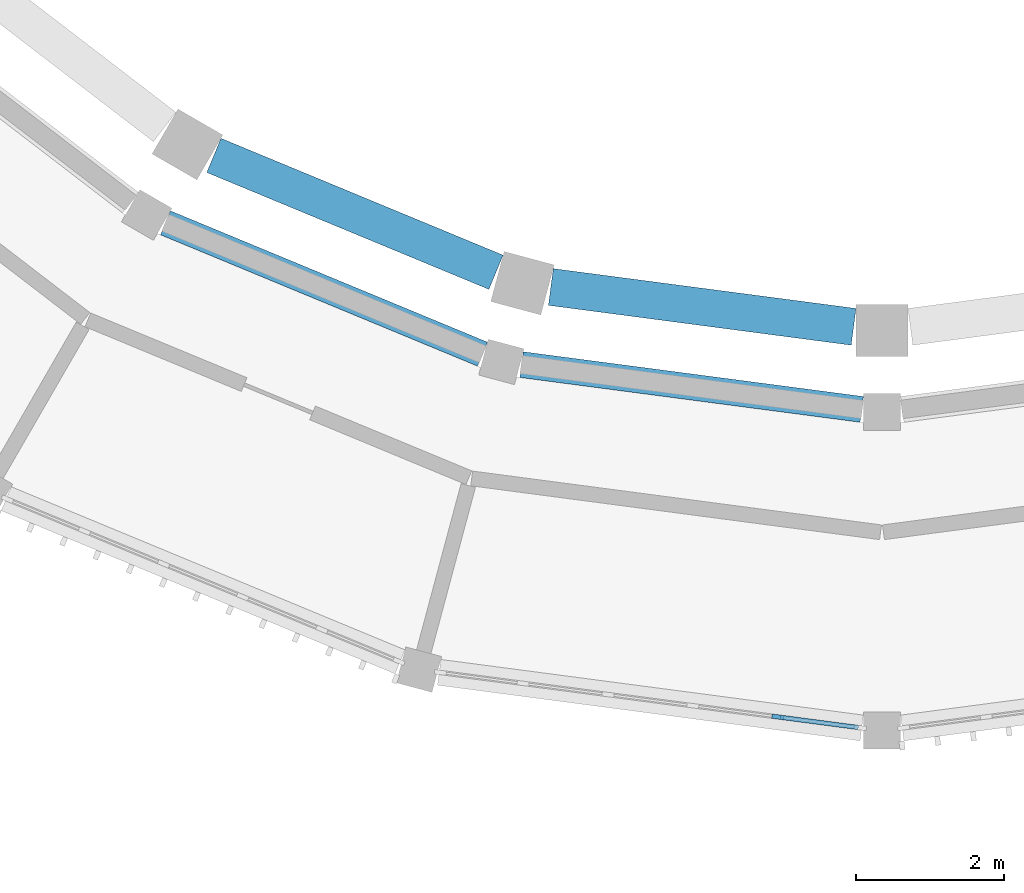
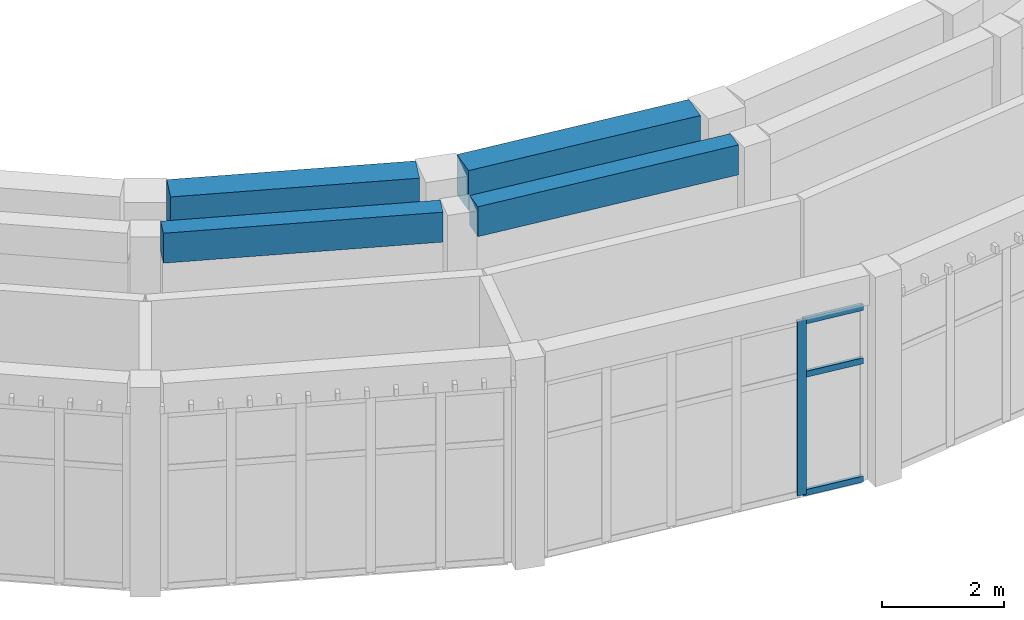
# One storey, part 4 of 99: 4 beams, 4 members, 1 element without a shape of its own.
"""IFC4 building model written with IfcOpenShell, lengths in metres."""

from ifc_helpers import new_model, si_unit, direction, frame, origin, origin_2d, place, context, subcontext, project, spatial, rectangle, extrude, material, layer, layer_set, material_profile, profile_set, type_object, element, aggregate, save


model = new_model("IFC4")

# Units and contexts
model_context = context("Model", 3, precision=1e-05, world=origin(), true_north=direction((0.0, 1.0)))
body_context = subcontext(model_context, "Body", "Model", "MODEL_VIEW")
ifc_project = project(units=[si_unit("LENGTHUNIT", "METRE"), si_unit("AREAUNIT", "SQUARE_METRE"), si_unit("VOLUMEUNIT", "CUBIC_METRE"), si_unit("PLANEANGLEUNIT", "RADIAN"), si_unit("MASSUNIT", "GRAM", prefix="KILO")], contexts=[model_context])

# Site, building, storey
site_placement = place(None, origin())
site = spatial("IfcSite", under=ifc_project, at=site_placement, CompositionType="ELEMENT")
building_placement = place(site_placement, origin())
building = spatial("IfcBuilding", under=site, at=building_placement, Name="Wasatch Bagh Community Centre", CompositionType="ELEMENT")
storey_placement = place(building_placement, frame((0.0, 0.0, 4.199951171875)))
storey = spatial("IfcBuildingStorey", under=building, at=storey_placement, Name="L01", CompositionType="ELEMENT", Elevation=4.199951171875)

# Curtain wall, member
ifc_material_1 = material(Name="Aluminium curtain wall frame with low-iron insulated glass", Category="aluminium")
ifc_layer = layer(ifc_material_1, 0.14990234375)
ifc_layer_set = layer_set([ifc_layer], Name="Aluminium curtain wall frame with low-iron insulated glass")
curtain_wall_type = type_object("IfcCurtainWallType", Name="Drum curtain wall DR-CW2", PredefinedType="NOTDEFINED", material=ifc_layer_set)
curtain_wall_placement = place(storey_placement, origin())
curtain_wall = element("IfcCurtainWall", 1, at=curtain_wall_placement, inside=storey, type_object=curtain_wall_type, Name="Curtain wall DR-CW2 6", PredefinedType="NOTDEFINED")
ifc_material_2 = material(Name="Aluminium curtain wall frame", Category="aluminium")
ifc_material_profile_1 = material_profile(ifc_material_2, rectangle(XDim=0.06005859375, YDim=0.159912109375, at=origin_2d()), Name="Drum mullion DR-CW2")
ifc_profile_set_1 = profile_set([ifc_material_profile_1], Name="Aluminium curtain wall frame")
member_type_1 = type_object("IfcMemberType", Name="Drum mullion DR-CW2", PredefinedType="MULLION", material=ifc_profile_set_1)
member_1_placement = place(storey_placement, frame((34.59375, 11.03515625, 0.0), z_axis=(0.0, 0.0, 1.0), x_axis=(0.130526192185, 0.991444861378, 0.0)))
member_1 = element("IfcMember", 2, at=member_1_placement, type_object=member_type_1, Name="DR-CW2 mullion 5", PredefinedType="MULLION", context=body_context, shape_type="SweptSolid", body=[
    extrude(rectangle(XDim=0.06005859375, YDim=0.159912109375, at=origin_2d()), origin(), (0.0, 0.0, 1.0), 3.5),
])

# Beams
ifc_material_3 = material(Name="Concrete C35", Category="concrete")
ifc_material_profile_2 = material_profile(ifc_material_3, rectangle(XDim=0.35009765625, YDim=0.60009765625, at=origin_2d()), Name="RC 350x600")
ifc_profile_set_2 = profile_set([ifc_material_profile_2], Name="Concrete C35")
beam_type_1 = type_object("IfcBeamType", Name="Drum ring beam RC 350x600", PredefinedType="BEAM", material=ifc_profile_set_2)
beam_1_placement = place(storey_placement, frame((26.32958984375, 17.703857421875, 3.900146484375), z_axis=(0.923884458327, -0.382671540178, 0.0), x_axis=(0.382671540178, 0.923884458327, 0.0)))
element("IfcBeam", 3, at=beam_1_placement, inside=storey, type_object=beam_type_1, Name="Ring beam 8.4 DI-S4-DI-S5", PredefinedType="BEAM", context=body_context, shape_type="SweptSolid", body=[
    extrude(rectangle(XDim=0.35009765625, YDim=0.60009765625, at=origin_2d()), origin(), (0.0, 0.0, 1.0), 4.630615234375),
])
beam_2_placement = place(storey_placement, frame((31.1357421875, 15.790283203125, 3.900146484375), z_axis=(0.99144891089, -0.130495429401, 0.0), x_axis=(0.130495429401, 0.99144891089, 0.0)))
element("IfcBeam", 4, at=beam_2_placement, inside=storey, type_object=beam_type_1, Name="Ring beam 8.4 DI-S5-DI-S6", PredefinedType="BEAM", context=body_context, shape_type="SweptSolid", body=[
    extrude(rectangle(XDim=0.35009765625, YDim=0.60009765625, at=origin_2d()), origin(), (0.0, 0.0, 1.0), 4.63037109375),
])

# Member
ifc_material_profile_3 = material_profile(ifc_material_2, rectangle(XDim=0.06005859375, YDim=0.1201171875, at=origin_2d()), Name="Drum transom DR-CW2")
ifc_profile_set_3 = profile_set([ifc_material_profile_3], Name="Aluminium curtain wall frame")
member_type_2 = type_object("IfcMemberType", Name="Drum transom DR-CW2", PredefinedType="USERDEFINED", material=ifc_profile_set_3)
member_2_placement = place(storey_placement, frame((34.62353515625, 11.03125, 0.030029296875), z_axis=(0.991438694485, -0.130573025845, 0.0), x_axis=(0.130573025845, 0.991438694485, 0.0)))
member_2 = element("IfcMember", 5, at=member_2_placement, type_object=member_type_2, Name="DR-CW2 transom 5.1", ObjectType="TRANSOM", PredefinedType="USERDEFINED", context=body_context, shape_type="SweptSolid", body=[
    extrude(rectangle(XDim=0.06005859375, YDim=0.1201171875, at=origin_2d()), origin(), (0.0, 0.0, 1.0), 1.065673828125),
])

member_3_placement = place(storey_placement, frame((34.62353515625, 11.03125, 2.400146484375), z_axis=(0.991438694485, -0.130573025845, 0.0), x_axis=(0.130573025845, 0.991438694485, 0.0)))
member_3 = element("IfcMember", 6, at=member_3_placement, type_object=member_type_2, Name="DR-CW2 transom 5.2", ObjectType="TRANSOM", PredefinedType="USERDEFINED", context=body_context, shape_type="SweptSolid", body=[
    extrude(rectangle(XDim=0.06005859375, YDim=0.1201171875, at=origin_2d()), origin(), (0.0, 0.0, 1.0), 1.065673828125),
])

member_4_placement = place(storey_placement, frame((34.62353515625, 11.03125, 3.469970703125), z_axis=(0.991438694485, -0.130573025845, 0.0), x_axis=(0.130573025845, 0.991438694485, 0.0)))
member_4 = element("IfcMember", 7, at=member_4_placement, type_object=member_type_2, Name="DR-CW2 transom 5.3", ObjectType="TRANSOM", PredefinedType="USERDEFINED", context=body_context, shape_type="SweptSolid", body=[
    extrude(rectangle(XDim=0.06005859375, YDim=0.1201171875, at=origin_2d()), origin(), (0.0, 0.0, 1.0), 1.065673828125),
])

aggregate(curtain_wall, [member_1, member_2, member_3, member_4])

# Beams
ifc_material_profile_4 = material_profile(ifc_material_3, rectangle(XDim=0.5, YDim=0.800048828125, at=origin_2d()), Name="RC 500x800")
ifc_profile_set_4 = profile_set([ifc_material_profile_4], Name="Concrete C35")
beam_type_2 = type_object("IfcBeamType", Name="MH ring beam RC 500x800", PredefinedType="BEAM", material=ifc_profile_set_4)
for number, where, z_axis, x_axis, name in (
    (8, (26.98193359375, 18.6142578125, 3.800048828125), (0.923877504262, -0.382688328955, 0.0), (0.382688328955, 0.923877504262, 0.0), "Ring beam 8.4 S4-S5"),
    (9, (31.5302734375, 16.83837890625, 3.800048828125), (0.991450464722, -0.130483623501, 0.0), (0.130483623501, 0.991450464722, 0.0), "Ring beam 8.4 S5-S6"),
):
    element("IfcBeam", number, at=place(storey_placement, frame(where, z_axis=z_axis, x_axis=x_axis)), inside=storey, type_object=beam_type_2, Name=name, PredefinedType="BEAM", context=body_context, shape_type="SweptSolid", body=[
        extrude(rectangle(XDim=0.5, YDim=0.800048828125, at=origin_2d()), origin(), (0.0, 0.0, 1.0), 4.121826171875),
    ])

save(model, "model.ifc")
